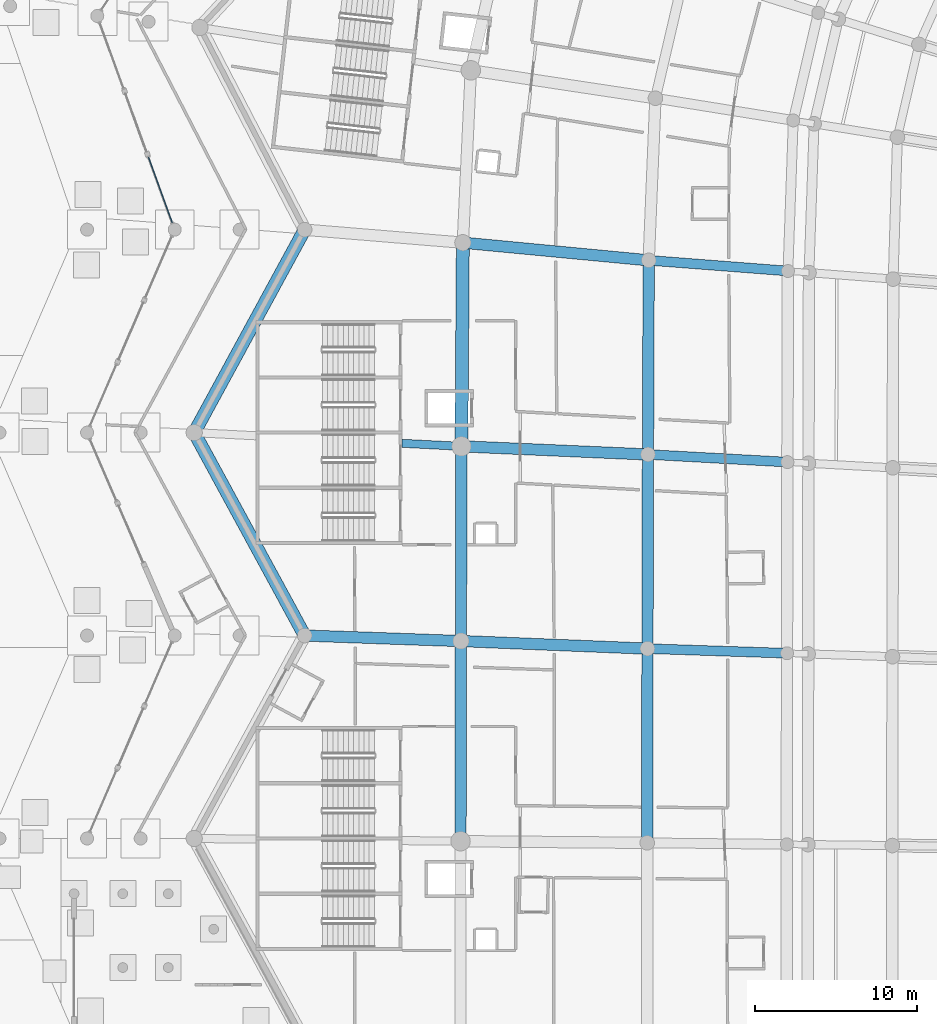
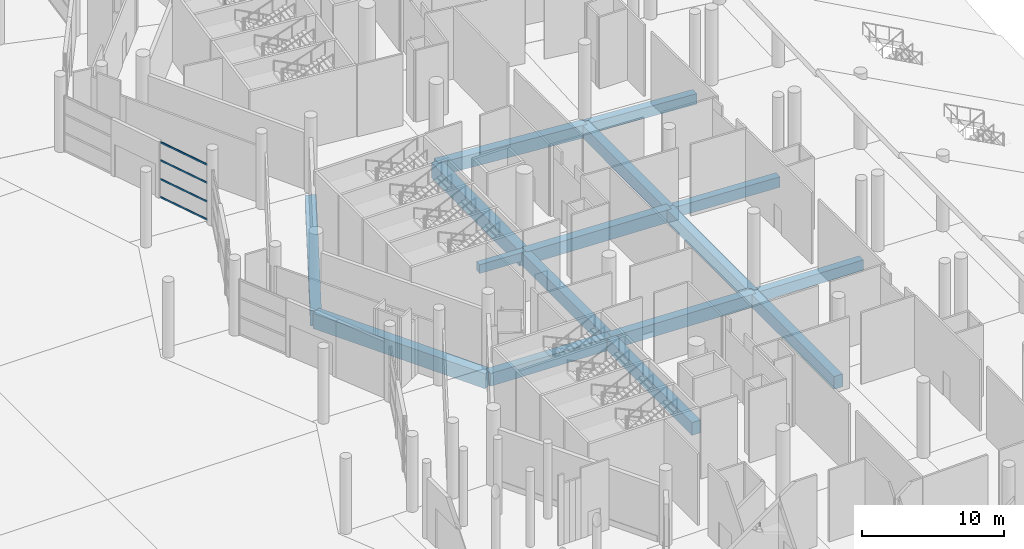
# One storey, part 43 of 255: 16 beams, 4 members, 1 element without a shape of its own.
"""IFC4 building model written with IfcOpenShell, lengths in metres."""

from ifc_helpers import new_model, si_unit, direction, frame, origin, origin_2d, place, context, subcontext, project, spatial, rectangle, extrude, material, layer, layer_set, material_profile, profile_set, type_object, element, aggregate, save


model = new_model("IFC4")

# Units and contexts
model_context = context("Model", 3, precision=1e-05, world=origin(), true_north=direction((0.0, 1.0)))
body_context = subcontext(model_context, "Body", "Model", "MODEL_VIEW")
ifc_project = project(units=[si_unit("LENGTHUNIT", "METRE"), si_unit("AREAUNIT", "SQUARE_METRE"), si_unit("VOLUMEUNIT", "CUBIC_METRE"), si_unit("PLANEANGLEUNIT", "RADIAN"), si_unit("MASSUNIT", "GRAM", prefix="KILO")], contexts=[model_context])

# Site, building, storey
site_placement = place(None, origin())
site = spatial("IfcSite", under=ifc_project, at=site_placement, CompositionType="ELEMENT")
building_placement = place(site_placement, origin())
building = spatial("IfcBuilding", under=site, at=building_placement, Name="Meseta Stadium", CompositionType="ELEMENT")
storey_placement = place(building_placement, origin())
storey = spatial("IfcBuildingStorey", under=building, at=storey_placement, Name="L00", CompositionType="ELEMENT", Elevation=0.0)

# Beams
ifc_material_1 = material(Name="Concrete C40/50", Category="concrete")
ifc_material_profile_1 = material_profile(ifc_material_1, rectangle(XDim=0.5, YDim=0.75, at=origin_2d()), Name="RC 500x750")
ifc_profile_set_1 = profile_set([ifc_material_profile_1], Name="Concrete C40/50")
beam_type_1 = type_object("IfcBeamType", Name="RC beam 500x750", PredefinedType="BEAM", material=ifc_profile_set_1)
beam_1_placement = place(storey_placement, frame((-84.940673828125, 30.404052734375, -0.77490234375), z_axis=(-0.998683115753, 0.051303355736, 0.0), x_axis=(-0.051303355736, -0.998683115753, 0.0)))
element("IfcBeam", 1, at=beam_1_placement, inside=storey, type_object=beam_type_1, Name="L00 radial beam frame 30 line P to R", PredefinedType="BEAM", context=body_context, shape_type="SweptSolid", body=[
    extrude(rectangle(XDim=0.5, YDim=0.75, at=origin_2d()), origin(), (0.0, 0.0, 1.0), 3.664306640625),
])
ifc_material_2 = material(Name="Concrete C40/50", Category="concrete")
ifc_material_profile_2 = material_profile(ifc_material_2, rectangle(XDim=0.60009765625, YDim=0.89990234375, at=origin_2d()), Name="RC 600x900")
ifc_profile_set_2 = profile_set([ifc_material_profile_2], Name="Concrete C40/50")
beam_type_2 = type_object("IfcBeamType", Name="RC beam 600x900", PredefinedType="BEAM", material=ifc_profile_set_2)
for number, where, z_axis, x_axis, name in (
    (2, (-64.829833984375, 41.2041015625, -0.85009765625), (-0.997066996267, 0.076533685105, 0.0), (-0.076533685105, -0.997066996267, 0.0), "L00 radial beam frame 29 line D to E"),
    (3, (-64.8642578125, 29.433349609375, -0.85009765625), (-0.998501047384, 0.054732607948, 0.0), (-0.054732607948, -0.998501047384, 0.0), "L00 radial beam frame 30 line D to E"),
):
    element("IfcBeam", number, at=place(storey_placement, frame(where, z_axis=z_axis, x_axis=x_axis)), inside=storey, type_object=beam_type_2, Name=name, PredefinedType="BEAM", context=body_context, shape_type="SweptSolid", body=[
        extrude(rectangle(XDim=0.60009765625, YDim=0.89990234375, at=origin_2d()), origin(), (0.0, 0.0, 1.0), 8.60009765625),
    ])
beam_2_placement = place(storey_placement, frame((-64.88720703125, 17.660888671875, -0.85009765625), z_axis=(-0.999459492737, 0.032874342231, 0.0), x_axis=(-0.032874342231, -0.999459492737, 0.0)))
element("IfcBeam", 4, at=beam_2_placement, inside=storey, type_object=beam_type_2, Name="L00 radial beam frame 31 line D to E", PredefinedType="BEAM", context=body_context, shape_type="SweptSolid", body=[
    extrude(rectangle(XDim=0.60009765625, YDim=0.89990234375, at=origin_2d()), origin(), (0.0, 0.0, 1.0), 8.599853515625),
])
ifc_material_3 = material(Name="Concrete C40/50", Category="concrete")
ifc_material_profile_3 = material_profile(ifc_material_3, rectangle(XDim=0.699951171875, YDim=1.10009765625, at=origin_2d()), Name="RC 700x1100")
ifc_profile_set_3 = profile_set([ifc_material_profile_3], Name="Concrete C40/50")
beam_type_3 = type_object("IfcBeamType", Name="RC beam 700x1100", PredefinedType="BEAM", material=ifc_profile_set_3)
beam_3_placement = place(storey_placement, frame((-73.40478515625, 41.8623046875, -0.949951171875), z_axis=(-0.003899441576, -0.999992397149, 0.0), x_axis=(0.999992397149, -0.003899441576, 0.0)))
element("IfcBeam", 5, at=beam_3_placement, inside=storey, type_object=beam_type_3, Name="L00 ring beam frame 29 line E", PredefinedType="BEAM", context=body_context, shape_type="SweptSolid", body=[
    extrude(rectangle(XDim=0.699951171875, YDim=1.10009765625, at=origin_2d()), origin(), (0.0, 0.0, 1.0), 11.958251953125),
])
beam_4_placement = place(storey_placement, frame((-73.451416015625, 29.904052734375, -0.949951171875), z_axis=(-0.002592357078, -0.999996639837, 0.0), x_axis=(0.999996639837, -0.002592357078, 0.0)))
element("IfcBeam", 6, at=beam_4_placement, inside=storey, type_object=beam_type_3, Name="L00 ring beam frame 30 line E", PredefinedType="BEAM", context=body_context, shape_type="SweptSolid", body=[
    extrude(rectangle(XDim=0.699951171875, YDim=1.10009765625, at=origin_2d()), origin(), (0.0, 0.0, 1.0), 11.96044921875),
])
beam_5_placement = place(storey_placement, frame((-84.940673828125, 30.404052734375, -0.949951171875), z_axis=(-0.002707369213, -0.999996335069, 0.0), x_axis=(0.999996335069, -0.002707369213, 0.0)))
element("IfcBeam", 7, at=beam_5_placement, inside=storey, type_object=beam_type_3, Name="L00 ring beam frame 30 line P", PredefinedType="BEAM", context=body_context, shape_type="SweptSolid", body=[
    extrude(rectangle(XDim=0.699951171875, YDim=1.10009765625, at=origin_2d()), origin(), (0.0, 0.0, 1.0), 11.993408203125),
])
beam_6_placement = place(storey_placement, frame((-73.482421875, 17.943603515625, -0.949951171875), z_axis=(-0.001306174648, -0.999999146954, 0.0), x_axis=(0.999999146954, -0.001306174648, 0.0)))
element("IfcBeam", 8, at=beam_6_placement, inside=storey, type_object=beam_type_3, Name="L00 ring beam frame 31 line E", PredefinedType="BEAM", context=body_context, shape_type="SweptSolid", body=[
    extrude(rectangle(XDim=0.699951171875, YDim=1.10009765625, at=origin_2d()), origin(), (0.0, 0.0, 1.0), 11.96240234375),
])
beam_7_placement = place(storey_placement, frame((-84.97314453125, 18.41064453125, -0.949951171875), z_axis=(-0.001980154927, -0.999998039491, 0.0), x_axis=(0.999998039491, -0.001980154927, 0.0)))
element("IfcBeam", 9, at=beam_7_placement, inside=storey, type_object=beam_type_3, Name="L00 ring beam frame 31 line P", PredefinedType="BEAM", context=body_context, shape_type="SweptSolid", body=[
    extrude(rectangle(XDim=0.699951171875, YDim=1.10009765625, at=origin_2d()), origin(), (0.0, 0.0, 1.0), 12.329345703125),
])
beam_8_placement = place(storey_placement, frame((-73.40478515625, 41.8623046875, -0.949951171875), z_axis=(-0.995530039578, 0.094445435561, 0.0), x_axis=(-0.094445435561, -0.995530039578, 0.0)))
element("IfcBeam", 10, at=beam_8_placement, inside=storey, type_object=beam_type_3, Name="L00 radial beam frame 29 line E to P", PredefinedType="BEAM", context=body_context, shape_type="SweptSolid", body=[
    extrude(rectangle(XDim=0.699951171875, YDim=1.10009765625, at=origin_2d()), origin(), (0.0, 0.0, 1.0), 11.500732421875),
])
for number, where, z_axis, x_axis, name in (
    (11, (-73.451416015625, 29.904052734375, -0.949951171875), (-0.999054395094, 0.04347776033, 0.0), (-0.04347776033, -0.999054395094, 0.0), "L00 radial beam frame 30 line E to P"),
    (12, (-73.482421875, 17.943603515625, -0.949951171875), (-0.999175011921, 0.040611519947, 0.0), (-0.040611519947, -0.999175011921, 0.0), "L00 radial beam frame 31 line E to P"),
):
    element("IfcBeam", number, at=place(storey_placement, frame(where, z_axis=z_axis, x_axis=x_axis)), inside=storey, type_object=beam_type_3, Name=name, PredefinedType="BEAM", context=body_context, shape_type="SweptSolid", body=[
        extrude(rectangle(XDim=0.699951171875, YDim=1.10009765625, at=origin_2d()), origin(), (0.0, 0.0, 1.0), 11.500244140625),
    ])
beam_9_placement = place(storey_placement, frame((-84.97314453125, 18.41064453125, -0.949951171875), z_axis=(-0.999379277506, 0.035228677108, 0.0), x_axis=(-0.035228677108, -0.999379277506, 0.0)))
element("IfcBeam", 13, at=beam_9_placement, inside=storey, type_object=beam_type_3, Name="L00 radial beam frame 31 line P to R", PredefinedType="BEAM", context=body_context, shape_type="SweptSolid", body=[
    extrude(rectangle(XDim=0.699951171875, YDim=1.10009765625, at=origin_2d()), origin(), (0.0, 0.0, 1.0), 9.6328125),
])
ifc_material_4 = material(Name="Concrete C40/50", Category="concrete")
ifc_material_profile_4 = material_profile(ifc_material_4, rectangle(XDim=0.800048828125, YDim=1.300048828125, at=origin_2d()), Name="RC 800x1300")
ifc_profile_set_4 = profile_set([ifc_material_profile_4], Name="Concrete C40/50")
beam_type_4 = type_object("IfcBeamType", Name="RC beam 800x1300", PredefinedType="BEAM", material=ifc_profile_set_4)
beam_10_placement = place(storey_placement, frame((-84.85400390625, 42.948486328125, -1.050048828125), z_axis=(-0.006908869398, -0.999976133477, 0.0), x_axis=(0.999976133477, -0.006908869398, 0.0)))
element("IfcBeam", 14, at=beam_10_placement, inside=storey, type_object=beam_type_4, Name="L00 ring beam frame 29 line P", PredefinedType="BEAM", context=body_context, shape_type="SweptSolid", body=[
    extrude(rectangle(XDim=0.800048828125, YDim=1.300048828125, at=origin_2d()), origin(), (0.0, 0.0, 1.0), 12.544677734375),
])
for number, where, z_axis, x_axis, name in (
    (15, (-94.60009765625, 43.75, -1.050048828125), (-0.47785649891, -0.878437912689, 0.0), (0.878437912689, -0.47785649891, 0.0), "L00 ring beam frame 29 line R"),
    (16, (-101.39990234375, 31.25, -1.050048828125), (0.47785649891, -0.878437912689, 0.0), (0.878437912689, 0.47785649891, 0.0), "L00 ring beam frame 30 line R"),
):
    element("IfcBeam", number, at=place(storey_placement, frame(where, z_axis=z_axis, x_axis=x_axis)), inside=storey, type_object=beam_type_4, Name=name, PredefinedType="BEAM", context=body_context, shape_type="SweptSolid", body=[
        extrude(rectangle(XDim=0.800048828125, YDim=1.300048828125, at=origin_2d()), origin(), (0.0, 0.0, 1.0), 14.229736328125),
    ])

# Curtain wall, members
ifc_material_5 = material(Name="Aluminium", Category="aluminium")
ifc_layer = layer(ifc_material_5, 0.199951171875)
ifc_layer_set = layer_set([ifc_layer], Name="Ring shopfront curtain wall")
curtain_wall_type = type_object("IfcCurtainWallType", Name="Ring shopfront curtain wall", PredefinedType="NOTDEFINED", material=ifc_layer_set)
curtain_wall_placement = place(storey_placement, origin())
curtain_wall = element("IfcCurtainWall", 17, at=curtain_wall_placement, inside=storey, type_object=curtain_wall_type, Name="Shopfront glazing F28b", PredefinedType="NOTDEFINED")
ifc_material_6 = material(Name="Aluminium", Category="aluminium")
ifc_material_profile_5 = material_profile(ifc_material_6, rectangle(XDim=0.06005859375, YDim=0.14990234375, at=origin_2d()), Name="CW 60x150")
ifc_profile_set_5 = profile_set([ifc_material_profile_5], Name="Aluminium")
member_type = type_object("IfcMemberType", Name="Ring CW transom 60x150", PredefinedType="USERDEFINED", material=ifc_profile_set_5)
member_1_placement = place(storey_placement, frame((-104.216064453125, 48.207763671875, 0.074951171875), z_axis=(0.340822633305, -0.940127615075, 0.0), x_axis=(0.940127615075, 0.340822633305, 0.0)))
member_1 = element("IfcMember", 18, at=member_1_placement, type_object=member_type, Name="CWR1 transom 1.1", ObjectType="TRANSOM", PredefinedType="USERDEFINED", context=body_context, shape_type="SweptSolid", body=[
    extrude(rectangle(XDim=0.06005859375, YDim=0.14990234375, at=origin_2d()), origin(), (0.0, 0.0, 1.0), 4.281494140625),
])
member_2_placement = place(storey_placement, frame((-104.216064453125, 48.207763671875, 1.61669921875), z_axis=(0.340822633305, -0.940127615075, 0.0), x_axis=(0.940127615075, 0.340822633305, 0.0)))
member_2 = element("IfcMember", 19, at=member_2_placement, type_object=member_type, Name="CWR1 transom 1.2", ObjectType="TRANSOM", PredefinedType="USERDEFINED", context=body_context, shape_type="SweptSolid", body=[
    extrude(rectangle(XDim=0.06005859375, YDim=0.14990234375, at=origin_2d()), origin(), (0.0, 0.0, 1.0), 4.281494140625),
])
member_3_placement = place(storey_placement, frame((-104.216064453125, 48.207763671875, 3.2333984375), z_axis=(0.340822633305, -0.940127615075, 0.0), x_axis=(0.940127615075, 0.340822633305, 0.0)))
member_3 = element("IfcMember", 20, at=member_3_placement, type_object=member_type, Name="CWR1 transom 1.3", ObjectType="TRANSOM", PredefinedType="USERDEFINED", context=body_context, shape_type="SweptSolid", body=[
    extrude(rectangle(XDim=0.06005859375, YDim=0.14990234375, at=origin_2d()), origin(), (0.0, 0.0, 1.0), 4.281494140625),
])
member_4_placement = place(storey_placement, frame((-104.216064453125, 48.207763671875, 4.77490234375), z_axis=(0.340822633305, -0.940127615075, 0.0), x_axis=(0.940127615075, 0.340822633305, 0.0)))
member_4 = element("IfcMember", 21, at=member_4_placement, type_object=member_type, Name="CWR1 transom 1.4", ObjectType="TRANSOM", PredefinedType="USERDEFINED", context=body_context, shape_type="SweptSolid", body=[
    extrude(rectangle(XDim=0.06005859375, YDim=0.14990234375, at=origin_2d()), origin(), (0.0, 0.0, 1.0), 4.281494140625),
])
aggregate(curtain_wall, [member_1, member_2, member_3, member_4])

save(model, "model.ifc")
